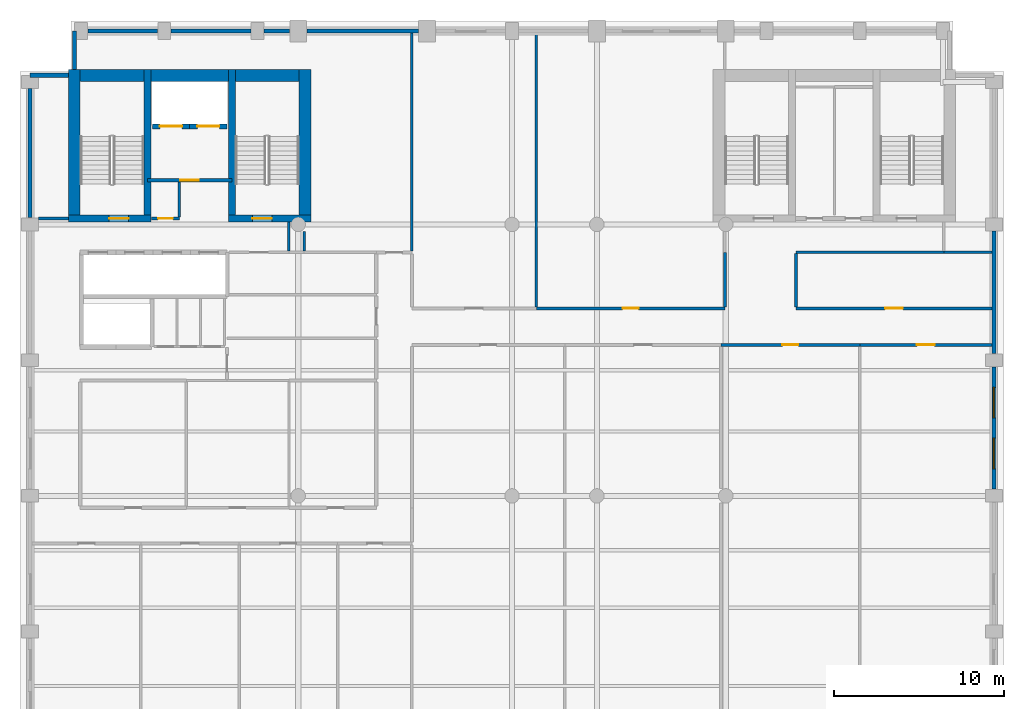
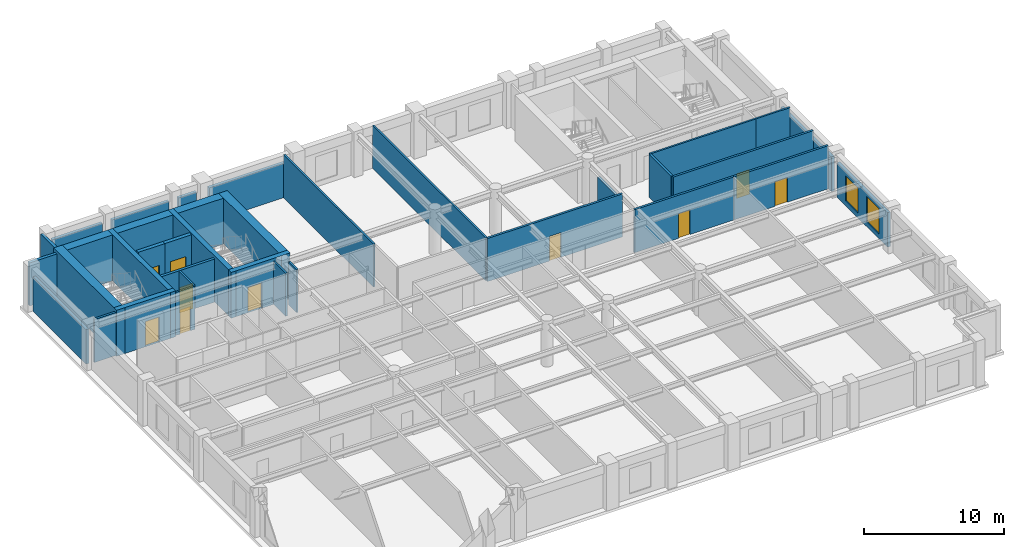
# One storey, part 5 of 8: 34 walls, 10 doors, 2 windows, 12 openings.
"""IFC4 building model written with IfcOpenShell, lengths in metres."""

from ifc_helpers import new_model, si_unit, direction, frame, frame_2d, origin, place, context, subcontext, project, spatial, rectangle, extrude, material, layer, layer_set, type_object, element, fill, save


model = new_model("IFC4")

# Units and contexts
model_context = context("Model", 3, precision=1e-05, world=origin(), true_north=direction((0.0, 1.0)))
body_context = subcontext(model_context, "Body", "Model", "MODEL_VIEW")
ifc_project = project(units=[si_unit("LENGTHUNIT", "METRE"), si_unit("AREAUNIT", "SQUARE_METRE"), si_unit("VOLUMEUNIT", "CUBIC_METRE"), si_unit("PLANEANGLEUNIT", "RADIAN"), si_unit("MASSUNIT", "GRAM", prefix="KILO")], contexts=[model_context])

# Site, building, storey
site_placement = place(None, origin())
site = spatial("IfcSite", under=ifc_project, at=site_placement, CompositionType="ELEMENT")
building_placement = place(site_placement, origin())
building = spatial("IfcBuilding", under=site, at=building_placement, Name="Sulina Concourse Tower", CompositionType="ELEMENT")
storey_placement = place(building_placement, frame((0.0, 0.0, 248.60009765625)))
storey = spatial("IfcBuildingStorey", under=building, at=storey_placement, Name="L60", CompositionType="ELEMENT", Elevation=248.60009765625)

# Wall, opening, door
ifc_material_1 = material(Name="Concrete C50/60", Category="concrete")
ifc_layer_1 = layer(ifc_material_1, 0.300048828125)
ifc_layer_set_1 = layer_set([ifc_layer_1], Name="Concrete C50/60")
wall_type_1 = type_object("IfcWallType", Name="Core Lift Hoistway Wall 300mm", PredefinedType="SOLIDWALL", material=ifc_layer_set_1)
wall_1_placement = place(storey_placement, frame((10.0, 39.780029296875, 0.0), z_axis=(0.0, 0.0, 1.0), x_axis=(-1.0, 0.0, 0.0)))
wall_1 = element("IfcWall", 1, at=wall_1_placement, inside=storey, type_object=wall_type_1, Name="L60 hoistway enclosure wall FFL-1", PredefinedType="SOLIDWALL", context=body_context, shape_type="SweptSolid", body=[
    extrude(rectangle(XDim=2.199951171875, YDim=0.300048828125, at=frame_2d((1.10009765625, 0.0))), origin(), (0.0, 0.0, 1.0), 4.0),
])
opening_1_placement = place(wall_1_placement, frame((0.449951171875, 0.0, 0.0)))
opening_1 = element("IfcOpeningElement", 2, at=opening_1_placement, cuts=wall_1, Name="Opening LD-02", PredefinedType="OPENING", context=body_context, shape_type="SweptSolid", body=[
    extrude(rectangle(XDim=1.300048828125, YDim=2.25, at=frame_2d((0.64990234375, 1.125))), frame((0.0, 0.159912109375, 0.0), z_axis=(0.0, -1.0, 0.0), x_axis=(1.0, 0.0, 0.0)), (0.0, 0.0, 1.0), 0.320068359375),
])
ifc_material_2 = material(Name="Stainless steel lift landing door", Category="steel")
ifc_layer_2 = layer(ifc_material_2, 0.050048828125)
ifc_layer_set_2 = layer_set([ifc_layer_2], Name="Stainless steel lift landing door")
door_type_1 = type_object("IfcDoorType", Name="Firefighting Lift Sliding Landing Door 1300x2250", OperationType="SLIDING_TO_RIGHT", PredefinedType="DOOR", material=ifc_layer_set_2)
door_1_placement = place(opening_1_placement, origin())
door_1 = element("IfcDoor", 3, at=door_1_placement, inside=storey, type_object=door_type_1, Name="L60 lift landing sliding door FFL-1", OperationType="SLIDING_TO_LEFT", OverallHeight=2.25, OverallWidth=1.300048828125, PredefinedType="DOOR", context=body_context, shape_type="SweptSolid", body=[
    extrude(rectangle(XDim=1.300048828125, YDim=2.25, at=frame_2d((0.64990234375, 1.125))), frame((0.0, 0.02490234375, 0.0), z_axis=(0.0, -1.0, 0.0), x_axis=(1.0, 0.0, 0.0)), (0.0, 0.0, 1.0), 0.050048828125),
])
fill(opening_1, door_1)

wall_2_placement = place(storey_placement, frame((12.199951171875, 39.780029296875, 0.0), z_axis=(0.0, 0.0, 1.0), x_axis=(-1.0, 0.0, 0.0)))
wall_2 = element("IfcWall", 4, at=wall_2_placement, inside=storey, type_object=wall_type_1, Name="L60 hoistway enclosure wall FFL-2", PredefinedType="SOLIDWALL", context=body_context, shape_type="SweptSolid", body=[
    extrude(rectangle(XDim=2.199951171875, YDim=0.300048828125, at=frame_2d((1.10009765625, 0.0))), origin(), (0.0, 0.0, 1.0), 4.0),
])
opening_2_placement = place(wall_2_placement, frame((0.449951171875, 0.0, 0.0)))
opening_2 = element("IfcOpeningElement", 5, at=opening_2_placement, cuts=wall_2, Name="Opening LD-02", PredefinedType="OPENING", context=body_context, shape_type="SweptSolid", body=[
    extrude(rectangle(XDim=1.300048828125, YDim=2.25, at=frame_2d((0.64990234375, 1.125))), frame((0.0, 0.159912109375, 0.0), z_axis=(0.0, -1.0, 0.0), x_axis=(1.0, 0.0, 0.0)), (0.0, 0.0, 1.0), 0.320068359375),
])
door_2_placement = place(opening_2_placement, origin())
door_2 = element("IfcDoor", 6, at=door_2_placement, inside=storey, type_object=door_type_1, Name="L60 lift landing sliding door FFL-2", OperationType="SLIDING_TO_RIGHT", OverallHeight=2.25, OverallWidth=1.300048828125, PredefinedType="DOOR", context=body_context, shape_type="SweptSolid", body=[
    extrude(rectangle(XDim=1.300048828125, YDim=2.25, at=frame_2d((0.64990234375, 1.125))), frame((0.0, 0.02490234375, 0.0), z_axis=(0.0, -1.0, 0.0), x_axis=(1.0, 0.0, 0.0)), (0.0, 0.0, 1.0), 0.050048828125),
])
fill(opening_2, door_2)

# Walls
ifc_material_3 = material(Name="Precast concrete C50/60", Category="concrete")
ifc_layer_3 = layer(ifc_material_3, 0.239990234375)
ifc_layer_set_3 = layer_set([ifc_layer_3], Name="Precast concrete C50/60")
wall_type_2 = type_object("IfcWallType", Name="Crown Precast Masonry-Frame Facade Wall 240mm", PredefinedType="SOLIDWALL", material=ifc_layer_set_3)
wall_3_placement = place(storey_placement, frame((0.60009765625, 34.39501953125, 0.0), z_axis=(0.0, 0.0, 1.0), x_axis=(0.0, 1.0, 0.0)))
element("IfcWall", 7, at=wall_3_placement, inside=storey, type_object=wall_type_2, Name="L60 exterior precast wall W5", PredefinedType="SOLIDWALL", context=body_context, shape_type="SweptSolid", body=[
    extrude(rectangle(XDim=7.60986328125, YDim=0.239990234375, at=frame_2d((3.804931640625, 0.0))), origin(), (0.0, 0.0, 1.0), 3.0),
])
wall_4_placement = place(storey_placement, frame((3.9951171875, 45.39990234375, 0.0), z_axis=(0.0, 0.0, 1.0), x_axis=(1.0, 0.0, 0.0)))
element("IfcWall", 8, at=wall_4_placement, inside=storey, type_object=wall_type_2, Name="L60 exterior precast wall N1", PredefinedType="SOLIDWALL", context=body_context, shape_type="SweptSolid", body=[
    extrude(rectangle(XDim=4.10986328125, YDim=0.239990234375, at=frame_2d((2.054931640625, 0.0))), origin(), (0.0, 0.0, 1.0), 3.0),
])
wall_5_placement = place(storey_placement, frame((8.89501953125, 45.39990234375, 0.0), z_axis=(0.0, 0.0, 1.0), x_axis=(1.0, 0.0, 0.0)))
element("IfcWall", 9, at=wall_5_placement, inside=storey, type_object=wall_type_2, Name="L60 exterior precast wall N2", PredefinedType="SOLIDWALL", context=body_context, shape_type="SweptSolid", body=[
    extrude(rectangle(XDim=4.7099609375, YDim=0.239990234375, at=frame_2d((2.35498046875, 0.0))), origin(), (0.0, 0.0, 1.0), 3.0),
])
wall_6_placement = place(storey_placement, frame((14.39501953125, 45.39990234375, 0.0), z_axis=(0.0, 0.0, 1.0), x_axis=(1.0, 0.0, 0.0)))
element("IfcWall", 10, at=wall_6_placement, inside=storey, type_object=wall_type_2, Name="L60 exterior precast wall N3", PredefinedType="SOLIDWALL", context=body_context, shape_type="SweptSolid", body=[
    extrude(rectangle(XDim=1.48486328125, YDim=0.239990234375, at=frame_2d((0.742431640625, 0.0))), origin(), (0.0, 0.0, 1.0), 3.0),
])
wall_7_placement = place(storey_placement, frame((16.919921875, 45.39990234375, 0.0), z_axis=(0.0, 0.0, 1.0), x_axis=(1.0, 0.0, 0.0)))
element("IfcWall", 11, at=wall_7_placement, inside=storey, type_object=wall_type_2, Name="L60 exterior precast wall N4", PredefinedType="SOLIDWALL", context=body_context, shape_type="SweptSolid", body=[
    extrude(rectangle(XDim=6.56005859375, YDim=0.239990234375, at=frame_2d((3.280029296875, 0.0))), origin(), (0.0, 0.0, 1.0), 3.0),
])

# Wall, openings, windows
wall_8_placement = place(storey_placement, frame((57.39990234375, 25.60498046875, 0.0), z_axis=(0.0, 0.0, 1.0), x_axis=(0.0, -1.0, 0.0)))
wall_8 = element("IfcWall", 12, at=wall_8_placement, inside=storey, type_object=wall_type_2, Name="L60 exterior precast wall E3", PredefinedType="SOLIDWALL", context=body_context, shape_type="SweptSolid", body=[
    extrude(rectangle(XDim=7.2099609375, YDim=0.239990234375, at=frame_2d((3.60498046875, 0.0))), origin(), (0.0, 0.0, 1.0), 3.0),
])
opening_3_placement = place(wall_8_placement, frame((1.203369140625, 0.0, 0.419921875)))
opening_3 = element("IfcOpeningElement", 13, at=opening_3_placement, cuts=wall_8, Name="Opening WN-25", PredefinedType="OPENING", context=body_context, shape_type="SweptSolid", body=[
    extrude(rectangle(XDim=1.800048828125, YDim=2.199951171875, at=frame_2d((0.89990234375, 1.10009765625))), frame((0.0, 0.1298828125, 0.0), z_axis=(0.0, -1.0, 0.0), x_axis=(1.0, 0.0, 0.0)), (0.0, 0.0, 1.0), 0.260009765625),
])
opening_4_placement = place(wall_8_placement, frame((4.206787109375, 0.0, 0.419921875)))
opening_4 = element("IfcOpeningElement", 14, at=opening_4_placement, cuts=wall_8, Name="Opening WN-25", PredefinedType="OPENING", context=body_context, shape_type="SweptSolid", body=[
    extrude(rectangle(XDim=1.800048828125, YDim=2.199951171875, at=frame_2d((0.89990234375, 1.10009765625))), frame((0.0, 0.1298828125, 0.0), z_axis=(0.0, -1.0, 0.0), x_axis=(1.0, 0.0, 0.0)), (0.0, 0.0, 1.0), 0.260009765625),
])
ifc_material_4 = material(Name="Low-E solar double glazing in bronze aluminium", Category="aluminium")
window_type = type_object("IfcWindowType", Name="Punched Masonry-Frame Window 1800x2200", PartitioningType="SINGLE_PANEL", PredefinedType="WINDOW", material=ifc_material_4)
window_1_placement = place(opening_3_placement, origin())
window_1 = element("IfcWindow", 15, at=window_1_placement, inside=storey, type_object=window_type, Name="L60 punched window E3-1", OverallHeight=2.199951171875, OverallWidth=1.800048828125, PartitioningType="SINGLE_PANEL", PredefinedType="WINDOW", context=body_context, shape_type="SweptSolid", body=[
    extrude(rectangle(XDim=1.800048828125, YDim=2.199951171875, at=frame_2d((0.89990234375, 1.10009765625))), frame((0.0, 0.030029296875, 0.0), z_axis=(0.0, -1.0, 0.0), x_axis=(1.0, 0.0, 0.0)), (0.0, 0.0, 1.0), 0.06005859375),
])
fill(opening_3, window_1)
window_2_placement = place(opening_4_placement, origin())
window_2 = element("IfcWindow", 16, at=window_2_placement, inside=storey, type_object=window_type, Name="L60 punched window E3-2", OverallHeight=2.199951171875, OverallWidth=1.800048828125, PartitioningType="SINGLE_PANEL", PredefinedType="WINDOW", context=body_context, shape_type="SweptSolid", body=[
    extrude(rectangle(XDim=1.800048828125, YDim=2.199951171875, at=frame_2d((0.89990234375, 1.10009765625))), frame((0.0, 0.030029296875, 0.0), z_axis=(0.0, -1.0, 0.0), x_axis=(1.0, 0.0, 0.0)), (0.0, 0.0, 1.0), 0.06005859375),
])
fill(opening_4, window_2)

# Walls
wall_9_placement = place(storey_placement, frame((57.39990234375, 33.60498046875, 0.0), z_axis=(0.0, 0.0, 1.0), x_axis=(0.0, -1.0, 0.0)))
element("IfcWall", 17, at=wall_9_placement, inside=storey, type_object=wall_type_2, Name="L60 exterior precast wall E4", PredefinedType="SOLIDWALL", context=body_context, shape_type="SweptSolid", body=[
    extrude(rectangle(XDim=7.2099609375, YDim=0.239990234375, at=frame_2d((3.60498046875, 0.0))), origin(), (0.0, 0.0, 1.0), 3.0),
])
wall_10_placement = place(storey_placement, frame((0.60009765625, 42.794921875, 0.0), z_axis=(0.0, 0.0, 1.0), x_axis=(1.0, 0.0, 0.0)))
element("IfcWall", 18, at=wall_10_placement, inside=storey, type_object=wall_type_2, Name="L60 exterior precast wall CNW1", PredefinedType="SOLIDWALL", context=body_context, shape_type="SweptSolid", body=[
    extrude(rectangle(XDim=2.244873046875, YDim=0.239990234375, at=frame_2d((1.12255859375, 0.0))), origin(), (0.0, 0.0, 1.0), 3.75),
])
wall_11_placement = place(storey_placement, frame((3.205078125, 43.135009765625, 0.0), z_axis=(0.0, 0.0, 1.0), x_axis=(0.0, 1.0, 0.0)))
element("IfcWall", 19, at=wall_11_placement, inside=storey, type_object=wall_type_2, Name="L60 exterior precast wall CNW2", PredefinedType="SOLIDWALL", context=body_context, shape_type="SweptSolid", body=[
    extrude(rectangle(XDim=2.264892578125, YDim=0.239990234375, at=frame_2d((1.13232421875, 0.0))), origin(), (0.0, 0.0, 1.0), 3.75),
])

# Wall, opening, door
ifc_material_5 = material(Name="Gypsum board on steel stud", Category="steel")
ifc_layer_4 = layer(ifc_material_5, 0.219970703125)
ifc_layer_set_4 = layer_set([ifc_layer_4], Name="Gypsum board on steel stud")
wall_type_3 = type_object("IfcWallType", Name="Fire-Rated Lobby & Compartment Wall 220mm", PredefinedType="PARTITIONING", material=ifc_layer_set_4)
wall_12_placement = place(storey_placement, frame((7.510009765625, 36.60009765625, 0.0), z_axis=(0.0, 0.0, 1.0), x_axis=(1.0, 0.0, 0.0)))
wall_12 = element("IfcWall", 20, at=wall_12_placement, inside=storey, type_object=wall_type_3, Name="L60 firefighting lobby south fire wall", PredefinedType="PARTITIONING", context=body_context, shape_type="SweptSolid", body=[
    extrude(rectangle(XDim=4.97998046875, YDim=0.219970703125, at=frame_2d((2.489990234375, 0.0))), origin(), (0.0, 0.0, 1.0), 3.75),
])
opening_5_placement = place(wall_12_placement, frame((1.93994140625, 0.0, 0.0)))
opening_5 = element("IfcOpeningElement", 21, at=opening_5_placement, cuts=wall_12, Name="Opening DR-47", PredefinedType="OPENING", context=body_context, shape_type="SweptSolid", body=[
    extrude(rectangle(XDim=1.10009765625, YDim=2.199951171875, at=frame_2d((0.550048828125, 1.10009765625))), frame((0.0, 0.119873046875, 0.0), z_axis=(0.0, -1.0, 0.0), x_axis=(1.0, 0.0, 0.0)), (0.0, 0.0, 1.0), 0.239990234375),
])
ifc_material_6 = material(Name="Galvanised steel acoustic fire leaf", Category="steel")
ifc_layer_5 = layer(ifc_material_6, 0.054931640625)
ifc_layer_set_5 = layer_set([ifc_layer_5], Name="Galvanised steel acoustic fire leaf")
door_type_2 = type_object("IfcDoorType", Name="Firefighting Lobby Fire Door 1100x2200", OperationType="NOTDEFINED", PredefinedType="DOOR", material=ifc_layer_set_5)
door_3_placement = place(opening_5_placement, origin())
door_3 = element("IfcDoor", 22, at=door_3_placement, inside=storey, type_object=door_type_2, Name="L60 firefighting lobby fire door", OperationType="SINGLE_SWING_LEFT", OverallHeight=2.199951171875, OverallWidth=1.10009765625, PredefinedType="DOOR", context=body_context, shape_type="SweptSolid", body=[
    extrude(rectangle(XDim=1.10009765625, YDim=2.199951171875, at=frame_2d((0.550048828125, 1.10009765625))), frame((0.0, 0.02490234375, 0.0), z_axis=(0.0, -1.0, 0.0), x_axis=(1.0, 0.0, 0.0)), (0.0, 0.0, 1.0), 0.050048828125),
])
fill(opening_5, door_3)

# Walls
ifc_material_7 = material(Name="Gypsum board on steel stud", Category="steel")
ifc_layer_6 = layer(ifc_material_7, 0.14990234375)
ifc_layer_set_6 = layer_set([ifc_layer_6], Name="Gypsum board on steel stud")
wall_type_4 = type_object("IfcWallType", Name="Inter-Tenancy Acoustic Partition 150mm", PredefinedType="PARTITIONING", material=ifc_layer_set_6)
wall_13_placement = place(storey_placement, frame((45.75, 32.35009765625, 0.0), z_axis=(0.0, 0.0, 1.0), x_axis=(1.0, 0.0, 0.0)))
element("IfcWall", 23, at=wall_13_placement, inside=storey, type_object=wall_type_4, Name="L60 interior partition 028", PredefinedType="PARTITIONING", context=body_context, shape_type="SweptSolid", body=[
    extrude(rectangle(XDim=8.699951171875, YDim=0.14990234375, at=frame_2d((4.35009765625, 0.0))), origin(), (0.0, 0.0, 1.0), 3.75),
])
wall_14_placement = place(storey_placement, frame((54.449951171875, 32.35009765625, 0.0), z_axis=(0.0, 0.0, 1.0), x_axis=(1.0, 0.0, 0.0)))
element("IfcWall", 24, at=wall_14_placement, inside=storey, type_object=wall_type_4, Name="L60 interior partition 029", PredefinedType="PARTITIONING", context=body_context, shape_type="SweptSolid", body=[
    extrude(rectangle(XDim=2.830078125, YDim=0.14990234375, at=frame_2d((1.4150390625, 0.0))), origin(), (0.0, 0.0, 1.0), 3.75),
])

# Wall, opening, door
wall_15_placement = place(storey_placement, frame((7.75, 34.35009765625, 0.0), z_axis=(0.0, 0.0, 1.0), x_axis=(1.0, 0.0, 0.0)))
wall_15 = element("IfcWall", 25, at=wall_15_placement, inside=storey, type_object=wall_type_4, Name="L60 interior partition 031", PredefinedType="PARTITIONING", context=body_context, shape_type="SweptSolid", body=[
    extrude(rectangle(XDim=1.64990234375, YDim=0.14990234375, at=frame_2d((0.824951171875, 0.0))), origin(), (0.0, 0.0, 1.0), 3.75),
])
opening_6_placement = place(wall_15_placement, frame((0.385009765625, 0.0, 0.0)))
opening_6 = element("IfcOpeningElement", 26, at=opening_6_placement, cuts=wall_15, Name="Opening DR-38", PredefinedType="OPENING", context=body_context, shape_type="SweptSolid", body=[
    extrude(rectangle(XDim=0.8798828125, YDim=2.10009765625, at=frame_2d((0.43994140625, 1.050048828125))), frame((0.0, 0.0849609375, 0.0), z_axis=(0.0, -1.0, 0.0), x_axis=(1.0, 0.0, 0.0)), (0.0, 0.0, 1.0), 0.169921875),
])
ifc_material_8 = material(Name="Galvanised steel acoustic fire leaf", Category="steel")
ifc_layer_7 = layer(ifc_material_8, 0.050048828125)
ifc_layer_set_7 = layer_set([ifc_layer_7], Name="Galvanised steel acoustic fire leaf")
door_type_3 = type_object("IfcDoorType", Name="Service Riser Fire Door 880x2100", OperationType="NOTDEFINED", PredefinedType="DOOR", material=ifc_layer_set_7)
door_4_placement = place(opening_6_placement, origin())
door_4 = element("IfcDoor", 27, at=door_4_placement, inside=storey, type_object=door_type_3, Name="L60 interior door L60-CLN-N", OperationType="SINGLE_SWING_RIGHT", OverallHeight=2.10009765625, OverallWidth=0.8798828125, PredefinedType="DOOR", context=body_context, shape_type="SweptSolid", body=[
    extrude(rectangle(XDim=0.8798828125, YDim=2.10009765625, at=frame_2d((0.43994140625, 1.050048828125))), frame((0.0, 0.02490234375, 0.0), z_axis=(0.0, -1.0, 0.0), x_axis=(1.0, 0.0, 0.0)), (0.0, 0.0, 1.0), 0.050048828125),
])
fill(opening_6, door_4)

# Walls
wall_16_placement = place(storey_placement, frame((9.39990234375, 34.425048828125, 0.0), z_axis=(0.0, 0.0, 1.0), x_axis=(0.0, 1.0, 0.0)))
element("IfcWall", 28, at=wall_16_placement, inside=storey, type_object=wall_type_4, Name="L60 interior partition 037", PredefinedType="PARTITIONING", context=body_context, shape_type="SweptSolid", body=[
    extrude(rectangle(XDim=2.06494140625, YDim=0.14990234375, at=frame_2d((1.032470703125, 0.0))), origin(), (0.0, 0.0, 1.0), 3.75),
])
wall_17_placement = place(storey_placement, frame((15.85009765625, 32.425048828125, 0.0), z_axis=(0.0, 0.0, 1.0), x_axis=(0.0, 1.0, 0.0)))
element("IfcWall", 29, at=wall_17_placement, inside=storey, type_object=wall_type_4, Name="L60 interior partition 044", PredefinedType="PARTITIONING", context=body_context, shape_type="SweptSolid", body=[
    extrude(rectangle(XDim=1.724853515625, YDim=0.14990234375, at=frame_2d((0.8623046875, 0.0))), origin(), (0.0, 0.0, 1.0), 3.75),
])
wall_18_placement = place(storey_placement, frame((16.75, 32.425048828125, 0.0), z_axis=(0.0, 0.0, 1.0), x_axis=(0.0, 1.0, 0.0)))
element("IfcWall", 30, at=wall_18_placement, inside=storey, type_object=wall_type_4, Name="L60 interior partition 045", PredefinedType="PARTITIONING", context=body_context, shape_type="SweptSolid", body=[
    extrude(rectangle(XDim=1.14990234375, YDim=0.14990234375, at=frame_2d((0.574951171875, 0.0))), origin(), (0.0, 0.0, 1.0), 3.75),
])
wall_19_placement = place(storey_placement, frame((23.10009765625, 32.43994140625, 0.0), z_axis=(0.0, 0.0, 1.0), x_axis=(0.0, 1.0, 0.0)))
element("IfcWall", 31, at=wall_19_placement, inside=storey, type_object=wall_type_4, Name="L60 interior partition 055", PredefinedType="PARTITIONING", context=body_context, shape_type="SweptSolid", body=[
    extrude(rectangle(XDim=12.840087890625, YDim=0.14990234375, at=frame_2d((6.419921875, 0.0))), origin(), (0.0, 0.0, 1.0), 3.75),
])
wall_20_placement = place(storey_placement, frame((30.429931640625, 29.139892578125, 0.0), z_axis=(0.0, 0.0, 1.0), x_axis=(0.0, 1.0, 0.0)))
element("IfcWall", 32, at=wall_20_placement, inside=storey, type_object=wall_type_4, Name="L60 interior partition 056", PredefinedType="PARTITIONING", context=body_context, shape_type="SweptSolid", body=[
    extrude(rectangle(XDim=16.14013671875, YDim=0.14990234375, at=frame_2d((8.070068359375, 0.0))), origin(), (0.0, 0.0, 1.0), 3.75),
])

# Wall, opening, door
ifc_material_9 = material(Name="Gypsum board on steel stud", Category="steel")
ifc_layer_8 = layer(ifc_material_9, 0.179931640625)
ifc_layer_set_8 = layer_set([ifc_layer_8], Name="Gypsum board on steel stud")
wall_type_5 = type_object("IfcWallType", Name="Protected Corridor & Riser Partition 180mm", PredefinedType="PARTITIONING", material=ifc_layer_set_8)
wall_21_placement = place(storey_placement, frame((41.320068359375, 26.89990234375, 0.0), z_axis=(0.0, 0.0, 1.0), x_axis=(1.0, 0.0, 0.0)))
wall_21 = element("IfcWall", 33, at=wall_21_placement, inside=storey, type_object=wall_type_5, Name="L60 interior partition 017", PredefinedType="PARTITIONING", context=body_context, shape_type="SweptSolid", body=[
    extrude(rectangle(XDim=8.179931640625, YDim=0.179931640625, at=frame_2d((4.08984375, 0.0))), origin(), (0.0, 0.0, 1.0), 3.75),
])
opening_7_placement = place(wall_21_placement, frame((3.614990234375, 0.0, 0.0)))
opening_7 = element("IfcOpeningElement", 34, at=opening_7_placement, cuts=wall_21, Name="Opening DR-19", PredefinedType="OPENING", context=body_context, shape_type="SweptSolid", body=[
    extrude(rectangle(XDim=0.949951171875, YDim=2.14990234375, at=frame_2d((0.47509765625, 1.074951171875))), frame((0.0, 0.099853515625, 0.0), z_axis=(0.0, -1.0, 0.0), x_axis=(1.0, 0.0, 0.0)), (0.0, 0.0, 1.0), 0.199951171875),
])
ifc_material_10 = material(Name="Oak-veneered acoustic timber leaf", Category="wood")
ifc_layer_9 = layer(ifc_material_10, 0.050048828125)
ifc_layer_set_9 = layer_set([ifc_layer_9], Name="Oak-veneered acoustic timber leaf")
door_type_4 = type_object("IfcDoorType", Name="Cellular Office & Meeting Door 950x2150", OperationType="NOTDEFINED", PredefinedType="DOOR", material=ifc_layer_set_9)
door_5_placement = place(opening_7_placement, origin())
door_5 = element("IfcDoor", 35, at=door_5_placement, inside=storey, type_object=door_type_4, Name="L60 interior door L60-S07", OperationType="SINGLE_SWING_LEFT", OverallHeight=2.14990234375, OverallWidth=0.949951171875, PredefinedType="DOOR", context=body_context, shape_type="SweptSolid", body=[
    extrude(rectangle(XDim=0.949951171875, YDim=2.14990234375, at=frame_2d((0.47509765625, 1.074951171875))), frame((0.0, 0.02490234375, 0.0), z_axis=(0.0, -1.0, 0.0), x_axis=(1.0, 0.0, 0.0)), (0.0, 0.0, 1.0), 0.050048828125),
])
fill(opening_7, door_5)

wall_22_placement = place(storey_placement, frame((49.5, 26.89990234375, 0.0), z_axis=(0.0, 0.0, 1.0), x_axis=(1.0, 0.0, 0.0)))
wall_22 = element("IfcWall", 36, at=wall_22_placement, inside=storey, type_object=wall_type_5, Name="L60 interior partition 018", PredefinedType="PARTITIONING", context=body_context, shape_type="SweptSolid", body=[
    extrude(rectangle(XDim=7.780029296875, YDim=0.179931640625, at=frame_2d((3.89013671875, 0.0))), origin(), (0.0, 0.0, 1.0), 3.75),
])
opening_8_placement = place(wall_22_placement, frame((3.364990234375, 0.0, 0.0)))
opening_8 = element("IfcOpeningElement", 37, at=opening_8_placement, cuts=wall_22, Name="Opening DR-37", PredefinedType="OPENING", context=body_context, shape_type="SweptSolid", body=[
    extrude(rectangle(XDim=1.050048828125, YDim=2.14990234375, at=frame_2d((0.52490234375, 1.074951171875))), frame((0.0, 0.099853515625, 0.0), z_axis=(0.0, -1.0, 0.0), x_axis=(1.0, 0.0, 0.0)), (0.0, 0.0, 1.0), 0.199951171875),
])
ifc_material_11 = material(Name="Oak-veneered fire door leaf")
ifc_layer_10 = layer(ifc_material_11, 0.050048828125)
ifc_layer_set_10 = layer_set([ifc_layer_10], Name="Oak-veneered fire door leaf")
door_type_5 = type_object("IfcDoorType", Name="Tenant Suite Entrance Fire Door 1050x2150", OperationType="NOTDEFINED", PredefinedType="DOOR", material=ifc_layer_set_10)
door_6_placement = place(opening_8_placement, origin())
door_6 = element("IfcDoor", 38, at=door_6_placement, inside=storey, type_object=door_type_5, Name="L60 interior door L60-S08", OperationType="SINGLE_SWING_RIGHT", OverallHeight=2.14990234375, OverallWidth=1.050048828125, PredefinedType="DOOR", context=body_context, shape_type="SweptSolid", body=[
    extrude(rectangle(XDim=1.050048828125, YDim=2.14990234375, at=frame_2d((0.52490234375, 1.074951171875))), frame((0.0, 0.02490234375, 0.0), z_axis=(0.0, -1.0, 0.0), x_axis=(1.0, 0.0, 0.0)), (0.0, 0.0, 1.0), 0.050048828125),
])
fill(opening_8, door_6)

wall_23_placement = place(storey_placement, frame((30.429931640625, 29.050048828125, 0.0), z_axis=(0.0, 0.0, 1.0), x_axis=(1.0, 0.0, 0.0)))
wall_23 = element("IfcWall", 39, at=wall_23_placement, inside=storey, type_object=wall_type_5, Name="L60 interior partition 021", PredefinedType="PARTITIONING", context=body_context, shape_type="SweptSolid", body=[
    extrude(rectangle(XDim=11.1201171875, YDim=0.179931640625, at=frame_2d((5.56005859375, 0.0))), origin(), (0.0, 0.0, 1.0), 3.75),
])
opening_9_placement = place(wall_23_placement, frame((5.0849609375, 0.0, 0.0)))
opening_9 = element("IfcOpeningElement", 40, at=opening_9_placement, cuts=wall_23, Name="Opening DR-19", PredefinedType="OPENING", context=body_context, shape_type="SweptSolid", body=[
    extrude(rectangle(XDim=0.949951171875, YDim=2.14990234375, at=frame_2d((0.47509765625, 1.074951171875))), frame((0.0, 0.099853515625, 0.0), z_axis=(0.0, -1.0, 0.0), x_axis=(1.0, 0.0, 0.0)), (0.0, 0.0, 1.0), 0.199951171875),
])
door_7_placement = place(opening_9_placement, origin())
door_7 = element("IfcDoor", 41, at=door_7_placement, inside=storey, type_object=door_type_4, Name="L60 interior door L60-NC2", OperationType="SINGLE_SWING_RIGHT", OverallHeight=2.14990234375, OverallWidth=0.949951171875, PredefinedType="DOOR", context=body_context, shape_type="SweptSolid", body=[
    extrude(rectangle(XDim=0.949951171875, YDim=2.14990234375, at=frame_2d((0.47509765625, 1.074951171875))), frame((0.0, 0.02490234375, 0.0), z_axis=(0.0, -1.0, 0.0), x_axis=(1.0, 0.0, 0.0)), (0.0, 0.0, 1.0), 0.050048828125),
])
fill(opening_9, door_7)

wall_24_placement = place(storey_placement, frame((45.75, 29.050048828125, 0.0), z_axis=(0.0, 0.0, 1.0), x_axis=(1.0, 0.0, 0.0)))
wall_24 = element("IfcWall", 42, at=wall_24_placement, inside=storey, type_object=wall_type_5, Name="L60 interior partition 022", PredefinedType="PARTITIONING", context=body_context, shape_type="SweptSolid", body=[
    extrude(rectangle(XDim=11.530029296875, YDim=0.179931640625, at=frame_2d((5.76513671875, 0.0))), origin(), (0.0, 0.0, 1.0), 3.75),
])
opening_10_placement = place(wall_24_placement, frame((5.239990234375, 0.0, 0.0)))
opening_10 = element("IfcOpeningElement", 43, at=opening_10_placement, cuts=wall_24, Name="Opening DR-37", PredefinedType="OPENING", context=body_context, shape_type="SweptSolid", body=[
    extrude(rectangle(XDim=1.050048828125, YDim=2.14990234375, at=frame_2d((0.52490234375, 1.074951171875))), frame((0.0, 0.099853515625, 0.0), z_axis=(0.0, -1.0, 0.0), x_axis=(1.0, 0.0, 0.0)), (0.0, 0.0, 1.0), 0.199951171875),
])
door_8_placement = place(opening_10_placement, origin())
door_8 = element("IfcDoor", 44, at=door_8_placement, inside=storey, type_object=door_type_5, Name="L60 interior door L60-NE1", OperationType="SINGLE_SWING_LEFT", OverallHeight=2.14990234375, OverallWidth=1.050048828125, PredefinedType="DOOR", context=body_context, shape_type="SweptSolid", body=[
    extrude(rectangle(XDim=1.050048828125, YDim=2.14990234375, at=frame_2d((0.52490234375, 1.074951171875))), frame((0.0, 0.02490234375, 0.0), z_axis=(0.0, -1.0, 0.0), x_axis=(1.0, 0.0, 0.0)), (0.0, 0.0, 1.0), 0.050048828125),
])
fill(opening_10, door_8)

# Walls
wall_25_placement = place(storey_placement, frame((1.10009765625, 34.35009765625, 0.0), z_axis=(0.0, 0.0, 1.0), x_axis=(1.0, 0.0, 0.0)))
element("IfcWall", 45, at=wall_25_placement, inside=storey, type_object=wall_type_5, Name="L60 interior partition 030", PredefinedType="PARTITIONING", context=body_context, shape_type="SweptSolid", body=[
    extrude(rectangle(XDim=1.75, YDim=0.179931640625, at=frame_2d((0.875, 0.0))), origin(), (0.0, 0.0, 1.0), 3.75),
])
wall_26_placement = place(storey_placement, frame((41.550048828125, 29.139892578125, 0.0), z_axis=(0.0, 0.0, 1.0), x_axis=(0.0, 1.0, 0.0)))
element("IfcWall", 46, at=wall_26_placement, inside=storey, type_object=wall_type_5, Name="L60 interior partition 060", PredefinedType="PARTITIONING", context=body_context, shape_type="SweptSolid", body=[
    extrude(rectangle(XDim=3.210205078125, YDim=0.179931640625, at=frame_2d((1.60498046875, 0.0))), origin(), (0.0, 0.0, 1.0), 3.19482421875),
])
wall_27_placement = place(storey_placement, frame((45.75, 29.139892578125, 0.0), z_axis=(0.0, 0.0, 1.0), x_axis=(0.0, 1.0, 0.0)))
element("IfcWall", 47, at=wall_27_placement, inside=storey, type_object=wall_type_5, Name="L60 interior partition 063", PredefinedType="PARTITIONING", context=body_context, shape_type="SweptSolid", body=[
    extrude(rectangle(XDim=3.135009765625, YDim=0.179931640625, at=frame_2d((1.5673828125, 0.0))), origin(), (0.0, 0.0, 1.0), 3.75),
])

# Wall, opening, door
ifc_material_12 = material(Name="Concrete C60/75", Category="concrete")
ifc_layer_11 = layer(ifc_material_12, 0.39990234375)
ifc_layer_set_11 = layer_set([ifc_layer_11], Name="Concrete C60/75")
wall_type_6 = type_object("IfcWallType", Name="Protected Stair Core Shear Wall 400mm", PredefinedType="SHEAR", material=ifc_layer_set_11)
wall_28_placement = place(storey_placement, frame((2.85009765625, 34.35009765625, 0.0), z_axis=(0.0, 0.0, 1.0), x_axis=(1.0, 0.0, 0.0)))
wall_28 = element("IfcWall", 48, at=wall_28_placement, inside=storey, type_object=wall_type_6, Name="L60 west core shear wall CW-WS1", PredefinedType="SHEAR", context=body_context, shape_type="SweptSolid", body=[
    extrude(rectangle(XDim=4.85986328125, YDim=0.39990234375, at=frame_2d((2.429931640625, 0.0))), origin(), (0.0, 0.0, 1.0), 4.0),
])
opening_11_placement = place(wall_28_placement, frame((2.39990234375, 0.0, 0.0)))
opening_11 = element("IfcOpeningElement", 49, at=opening_11_placement, cuts=wall_28, Name="Opening DR-60", PredefinedType="OPENING", context=body_context, shape_type="SweptSolid", body=[
    extrude(rectangle(XDim=1.14990234375, YDim=2.199951171875, at=frame_2d((0.574951171875, 1.10009765625))), frame((0.0, 0.2099609375, 0.0), z_axis=(0.0, -1.0, 0.0), x_axis=(1.0, 0.0, 0.0)), (0.0, 0.0, 1.0), 0.419921875),
])
ifc_material_13 = material(Name="Galvanised steel acoustic fire leaf", Category="steel")
ifc_layer_12 = layer(ifc_material_13, 0.054931640625)
ifc_layer_set_12 = layer_set([ifc_layer_12], Name="Galvanised steel acoustic fire leaf")
door_type_6 = type_object("IfcDoorType", Name="Protected Exit Stair Fire Door 1150x2200", OperationType="NOTDEFINED", PredefinedType="DOOR", material=ifc_layer_set_12)
door_9_placement = place(opening_11_placement, origin())
door_9 = element("IfcDoor", 50, at=door_9_placement, inside=storey, type_object=door_type_6, Name="L60 stair ST-1 lobby fire door", OperationType="SINGLE_SWING_LEFT", OverallHeight=2.199951171875, OverallWidth=1.14990234375, PredefinedType="DOOR", context=body_context, shape_type="SweptSolid", body=[
    extrude(rectangle(XDim=1.14990234375, YDim=2.199951171875, at=frame_2d((0.574951171875, 1.10009765625))), frame((0.0, 0.02490234375, 0.0), z_axis=(0.0, -1.0, 0.0), x_axis=(1.0, 0.0, 0.0)), (0.0, 0.0, 1.0), 0.050048828125),
])
fill(opening_11, door_9)

wall_29_placement = place(storey_placement, frame((12.2900390625, 34.35009765625, 0.0), z_axis=(0.0, 0.0, 1.0), x_axis=(1.0, 0.0, 0.0)))
wall_29 = element("IfcWall", 51, at=wall_29_placement, inside=storey, type_object=wall_type_6, Name="L60 west core shear wall CW-WS2", PredefinedType="SHEAR", context=body_context, shape_type="SweptSolid", body=[
    extrude(rectangle(XDim=4.85986328125, YDim=0.39990234375, at=frame_2d((2.429931640625, 0.0))), origin(), (0.0, 0.0, 1.0), 4.0),
])
opening_12_placement = place(wall_29_placement, frame((1.39990234375, 0.0, 0.0)))
opening_12 = element("IfcOpeningElement", 52, at=opening_12_placement, cuts=wall_29, Name="Opening DR-60", PredefinedType="OPENING", context=body_context, shape_type="SweptSolid", body=[
    extrude(rectangle(XDim=1.14990234375, YDim=2.199951171875, at=frame_2d((0.574951171875, 1.10009765625))), frame((0.0, 0.2099609375, 0.0), z_axis=(0.0, -1.0, 0.0), x_axis=(1.0, 0.0, 0.0)), (0.0, 0.0, 1.0), 0.419921875),
])
door_10_placement = place(opening_12_placement, origin())
door_10 = element("IfcDoor", 53, at=door_10_placement, inside=storey, type_object=door_type_6, Name="L60 stair ST-2 lobby fire door", OperationType="SINGLE_SWING_RIGHT", OverallHeight=2.199951171875, OverallWidth=1.14990234375, PredefinedType="DOOR", context=body_context, shape_type="SweptSolid", body=[
    extrude(rectangle(XDim=1.14990234375, YDim=2.199951171875, at=frame_2d((0.574951171875, 1.10009765625))), frame((0.0, 0.02490234375, 0.0), z_axis=(0.0, -1.0, 0.0), x_axis=(1.0, 0.0, 0.0)), (0.0, 0.0, 1.0), 0.050048828125),
])
fill(opening_12, door_10)

# Walls
for number, where, z_axis, x_axis, name in (
    (54, (7.510009765625, 34.14990234375, 0.0), (0.0, 0.0, 1.0), (0.0, 1.0, 0.0), "L60 west core shear wall SW-ST1"),
    (55, (12.489990234375, 34.14990234375, 0.0), (0.0, 0.0, 1.0), (0.0, 1.0, 0.0), "L60 west core shear wall SW-ST2"),
):
    element("IfcWall", number, at=place(storey_placement, frame(where, z_axis=z_axis, x_axis=x_axis)), inside=storey, type_object=wall_type_6, Name=name, PredefinedType="SHEAR", context=body_context, shape_type="SweptSolid", body=[
        extrude(rectangle(XDim=8.97998046875, YDim=0.39990234375, at=frame_2d((4.489990234375, 0.0))), origin(), (0.0, 0.0, 1.0), 4.0),
    ])
ifc_material_14 = material(Name="Concrete C60/75", Category="concrete")
ifc_layer_13 = layer(ifc_material_14, 0.699951171875)
ifc_layer_set_13 = layer_set([ifc_layer_13], Name="Concrete C60/75")
wall_type_7 = type_object("IfcWallType", Name="Rear Core Shear Wall 700mm", PredefinedType="SHEAR", material=ifc_layer_set_13)
wall_30_placement = place(storey_placement, frame((2.85009765625, 42.780029296875, 0.0), z_axis=(0.0, 0.0, 1.0), x_axis=(1.0, 0.0, 0.0)))
element("IfcWall", 56, at=wall_30_placement, inside=storey, type_object=wall_type_7, Name="L60 west core shear wall CW-WN", PredefinedType="SHEAR", context=body_context, shape_type="SweptSolid", body=[
    extrude(rectangle(XDim=14.2998046875, YDim=0.699951171875, at=frame_2d((7.14990234375, 0.0))), origin(), (0.0, 0.0, 1.0), 4.0),
])
for number, where, z_axis, x_axis, name in (
    (57, (3.199951171875, 34.14990234375, 0.0), (0.0, 0.0, 1.0), (0.0, 1.0, 0.0), "L60 west core shear wall CW-WW"),
    (58, (16.800048828125, 34.14990234375, 0.0), (0.0, 0.0, 1.0), (0.0, 1.0, 0.0), "L60 west core shear wall CW-WE"),
):
    element("IfcWall", number, at=place(storey_placement, frame(where, z_axis=z_axis, x_axis=x_axis)), inside=storey, type_object=wall_type_7, Name=name, PredefinedType="SHEAR", context=body_context, shape_type="SweptSolid", body=[
        extrude(rectangle(XDim=8.97998046875, YDim=0.699951171875, at=frame_2d((4.489990234375, 0.0))), origin(), (0.0, 0.0, 1.0), 4.0),
    ])

save(model, "model.ifc")
